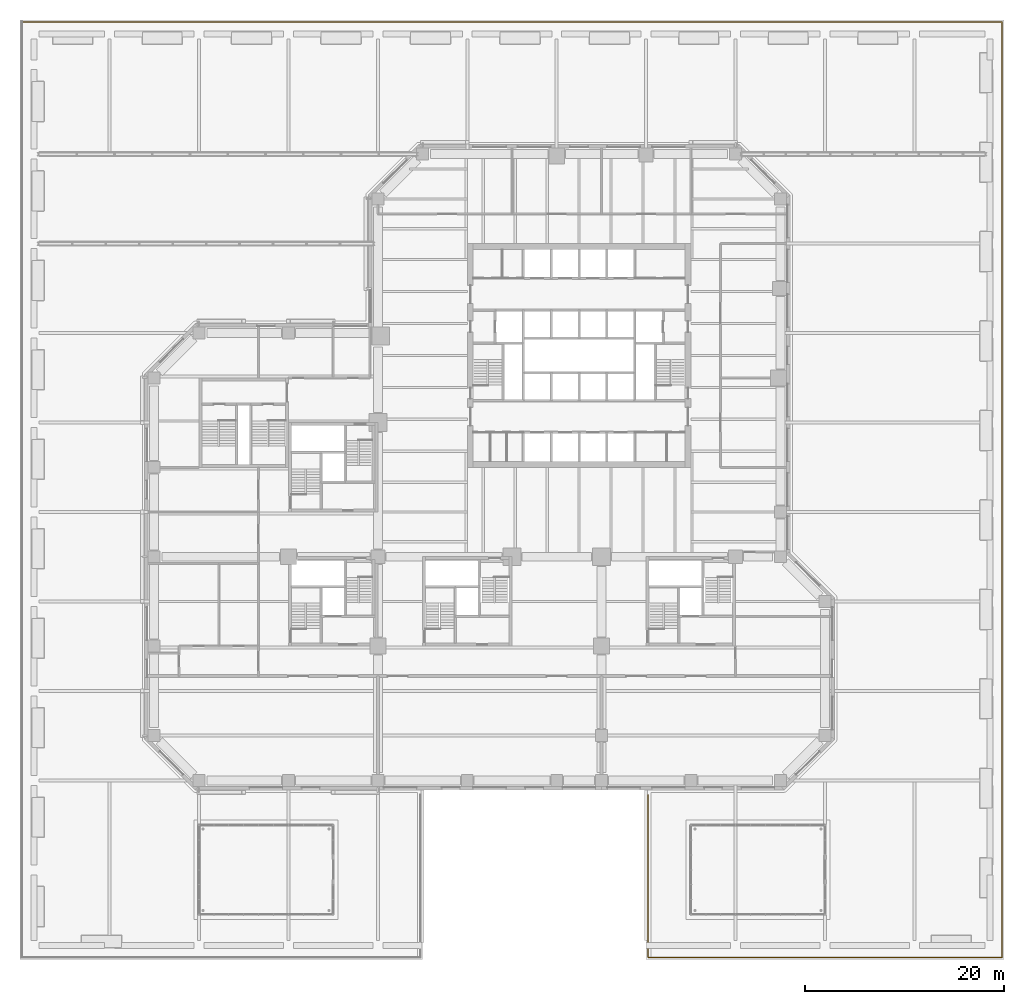
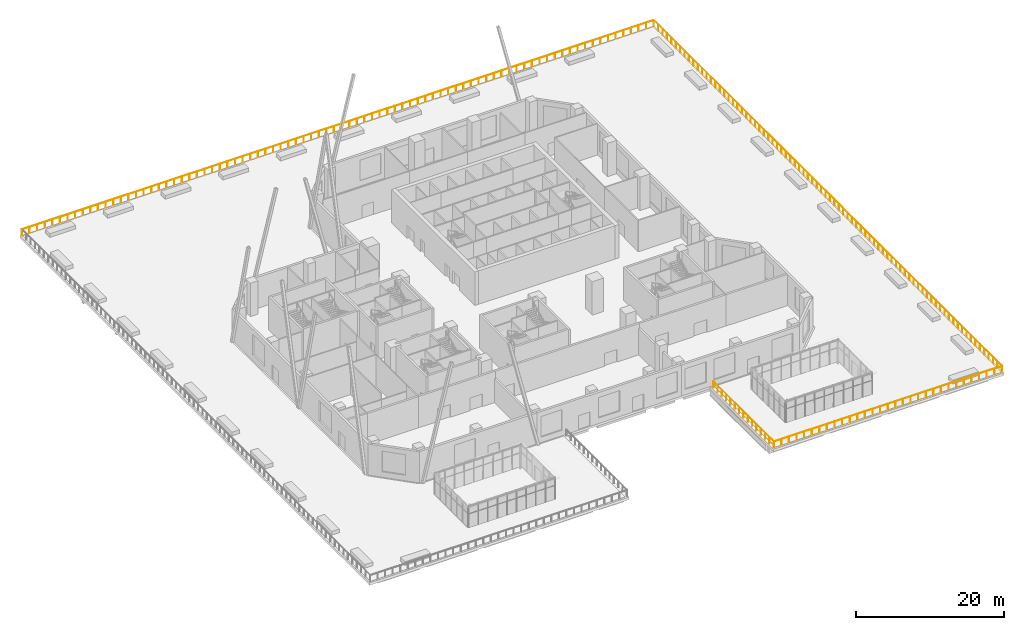
# One storey, part 32 of 33: 1 railing.
"""IFC4 building model written with IfcOpenShell, lengths in metres."""

from ifc_helpers import new_model, si_unit, direction, frame, origin, origin_2d, place, context, subcontext, project, spatial, circle, extrude, material, type_object, element, save


model = new_model("IFC4")

# Units and contexts
model_context = context("Model", 3, precision=1e-05, world=origin(), true_north=direction((0.0, 1.0)))
body_context = subcontext(model_context, "Body", "Model", "MODEL_VIEW")
ifc_project = project(units=[si_unit("LENGTHUNIT", "METRE"), si_unit("AREAUNIT", "SQUARE_METRE"), si_unit("VOLUMEUNIT", "CUBIC_METRE"), si_unit("PLANEANGLEUNIT", "RADIAN"), si_unit("MASSUNIT", "GRAM", prefix="KILO")], contexts=[model_context])

# Site, building, storey
site_placement = place(None, origin())
site = spatial("IfcSite", under=ifc_project, at=site_placement, CompositionType="ELEMENT")
building_placement = place(site_placement, origin())
building = spatial("IfcBuilding", under=site, at=building_placement, Name="Quoin Convention Tower", CompositionType="ELEMENT")
storey_placement = place(building_placement, frame((0.0, 0.0, 8.0)))
storey = spatial("IfcBuildingStorey", under=building, at=storey_placement, Name="L01", CompositionType="ELEMENT", Elevation=8.0)

# Railing
ifc_material = material(Name="Stainless steel", Category="steel")
railing_type = type_object("IfcRailingType", Name="Guard 1100", PredefinedType="GUARDRAIL", material=ifc_material)
railing_placement = place(storey_placement, frame((0.199951171875, 94.300048828125, 0.0)))
element("IfcRailing", 1, at=railing_placement, inside=storey, type_object=railing_type, Name="grd-L01-000-200_94300", PredefinedType="GUARDRAIL", context=body_context, shape_type="SweptSolid", body=[
    extrude(circle(Radius=0.02392578125, at=origin_2d()), frame((0.0, 0.0, 1.076171875), z_axis=(1.0, 0.0, 0.0), x_axis=(0.0, 1.0, 0.0)), (0.0, 0.0, 1.0), 98.60009765625),
    extrude(circle(Radius=0.02392578125, at=origin_2d()), frame((98.60009765625, 0.0, 1.076171875), z_axis=(0.0, -1.0, 0.0), x_axis=(1.0, 0.0, 0.0)), (0.0, 0.0, 1.0), 94.10009765625),
    extrude(circle(Radius=0.02392578125, at=origin_2d()), frame((98.60009765625, -94.10009765625, 1.076171875), z_axis=(-1.0, 0.0, 0.0), x_axis=(0.0, -1.0, 0.0)), (0.0, 0.0, 1.0), 35.60009765625),
    extrude(circle(Radius=0.02392578125, at=origin_2d()), frame((63.0, -94.10009765625, 1.076171875), z_axis=(0.0, 1.0, 0.0), x_axis=(-1.0, 0.0, 0.0)), (0.0, 0.0, 1.0), 16.35009765625),
    extrude(circle(Radius=0.02099609375, at=origin_2d()), origin(), (0.0, 0.0, 1.0), 1.052001953125),
    extrude(circle(Radius=0.02099609375, at=origin_2d()), frame((1.18798828125, 0.0, 0.0)), (0.0, 0.0, 1.0), 1.052001953125),
    extrude(circle(Radius=0.02099609375, at=origin_2d()), frame((2.3759765625, 0.0, 0.0)), (0.0, 0.0, 1.0), 1.052001953125),
    extrude(circle(Radius=0.02099609375, at=origin_2d()), frame((3.56396484375, 0.0, 0.0)), (0.0, 0.0, 1.0), 1.052001953125),
    extrude(circle(Radius=0.02099609375, at=origin_2d()), frame((4.751708984375, 0.0, 0.0)), (0.0, 0.0, 1.0), 1.052001953125),
    extrude(circle(Radius=0.02099609375, at=origin_2d()), frame((5.939697265625, 0.0, 0.0)), (0.0, 0.0, 1.0), 1.052001953125),
    extrude(circle(Radius=0.02099609375, at=origin_2d()), frame((7.127685546875, 0.0, 0.0)), (0.0, 0.0, 1.0), 1.052001953125),
    extrude(circle(Radius=0.02099609375, at=origin_2d()), frame((8.315673828125, 0.0, 0.0)), (0.0, 0.0, 1.0), 1.052001953125),
    extrude(circle(Radius=0.02099609375, at=origin_2d()), frame((9.503662109375, 0.0, 0.0)), (0.0, 0.0, 1.0), 1.052001953125),
    extrude(circle(Radius=0.02099609375, at=origin_2d()), frame((10.691650390625, 0.0, 0.0)), (0.0, 0.0, 1.0), 1.052001953125),
    extrude(circle(Radius=0.02099609375, at=origin_2d()), frame((11.879638671875, 0.0, 0.0)), (0.0, 0.0, 1.0), 1.052001953125),
    extrude(circle(Radius=0.02099609375, at=origin_2d()), frame((13.0673828125, 0.0, 0.0)), (0.0, 0.0, 1.0), 1.052001953125),
    extrude(circle(Radius=0.02099609375, at=origin_2d()), frame((14.25537109375, 0.0, 0.0)), (0.0, 0.0, 1.0), 1.052001953125),
    extrude(circle(Radius=0.02099609375, at=origin_2d()), frame((15.443359375, 0.0, 0.0)), (0.0, 0.0, 1.0), 1.052001953125),
    extrude(circle(Radius=0.02099609375, at=origin_2d()), frame((16.63134765625, 0.0, 0.0)), (0.0, 0.0, 1.0), 1.052001953125),
    extrude(circle(Radius=0.02099609375, at=origin_2d()), frame((17.8193359375, 0.0, 0.0)), (0.0, 0.0, 1.0), 1.052001953125),
    extrude(circle(Radius=0.02099609375, at=origin_2d()), frame((19.00732421875, 0.0, 0.0)), (0.0, 0.0, 1.0), 1.052001953125),
    extrude(circle(Radius=0.02099609375, at=origin_2d()), frame((20.1953125, 0.0, 0.0)), (0.0, 0.0, 1.0), 1.052001953125),
    extrude(circle(Radius=0.02099609375, at=origin_2d()), frame((21.383056640625, 0.0, 0.0)), (0.0, 0.0, 1.0), 1.052001953125),
    extrude(circle(Radius=0.02099609375, at=origin_2d()), frame((22.571044921875, 0.0, 0.0)), (0.0, 0.0, 1.0), 1.052001953125),
    extrude(circle(Radius=0.02099609375, at=origin_2d()), frame((23.759033203125, 0.0, 0.0)), (0.0, 0.0, 1.0), 1.052001953125),
    extrude(circle(Radius=0.02099609375, at=origin_2d()), frame((24.947021484375, 0.0, 0.0)), (0.0, 0.0, 1.0), 1.052001953125),
    extrude(circle(Radius=0.02099609375, at=origin_2d()), frame((26.135009765625, 0.0, 0.0)), (0.0, 0.0, 1.0), 1.052001953125),
    extrude(circle(Radius=0.02099609375, at=origin_2d()), frame((27.322998046875, 0.0, 0.0)), (0.0, 0.0, 1.0), 1.052001953125),
    extrude(circle(Radius=0.02099609375, at=origin_2d()), frame((28.510986328125, 0.0, 0.0)), (0.0, 0.0, 1.0), 1.052001953125),
    extrude(circle(Radius=0.02099609375, at=origin_2d()), frame((29.69873046875, 0.0, 0.0)), (0.0, 0.0, 1.0), 1.052001953125),
    extrude(circle(Radius=0.02099609375, at=origin_2d()), frame((30.88671875, 0.0, 0.0)), (0.0, 0.0, 1.0), 1.052001953125),
    extrude(circle(Radius=0.02099609375, at=origin_2d()), frame((32.07470703125, 0.0, 0.0)), (0.0, 0.0, 1.0), 1.052001953125),
    extrude(circle(Radius=0.02099609375, at=origin_2d()), frame((33.2626953125, 0.0, 0.0)), (0.0, 0.0, 1.0), 1.052001953125),
    extrude(circle(Radius=0.02099609375, at=origin_2d()), frame((34.45068359375, 0.0, 0.0)), (0.0, 0.0, 1.0), 1.052001953125),
    extrude(circle(Radius=0.02099609375, at=origin_2d()), frame((35.638671875, 0.0, 0.0)), (0.0, 0.0, 1.0), 1.052001953125),
    extrude(circle(Radius=0.02099609375, at=origin_2d()), frame((36.82666015625, 0.0, 0.0)), (0.0, 0.0, 1.0), 1.052001953125),
    extrude(circle(Radius=0.02099609375, at=origin_2d()), frame((38.014404296875, 0.0, 0.0)), (0.0, 0.0, 1.0), 1.052001953125),
    extrude(circle(Radius=0.02099609375, at=origin_2d()), frame((39.202392578125, 0.0, 0.0)), (0.0, 0.0, 1.0), 1.052001953125),
    extrude(circle(Radius=0.02099609375, at=origin_2d()), frame((40.390380859375, 0.0, 0.0)), (0.0, 0.0, 1.0), 1.052001953125),
    extrude(circle(Radius=0.02099609375, at=origin_2d()), frame((41.578369140625, 0.0, 0.0)), (0.0, 0.0, 1.0), 1.052001953125),
    extrude(circle(Radius=0.02099609375, at=origin_2d()), frame((42.766357421875, 0.0, 0.0)), (0.0, 0.0, 1.0), 1.052001953125),
    extrude(circle(Radius=0.02099609375, at=origin_2d()), frame((43.954345703125, 0.0, 0.0)), (0.0, 0.0, 1.0), 1.052001953125),
    extrude(circle(Radius=0.02099609375, at=origin_2d()), frame((45.142333984375, 0.0, 0.0)), (0.0, 0.0, 1.0), 1.052001953125),
    extrude(circle(Radius=0.02099609375, at=origin_2d()), frame((46.330078125, 0.0, 0.0)), (0.0, 0.0, 1.0), 1.052001953125),
    extrude(circle(Radius=0.02099609375, at=origin_2d()), frame((47.51806640625, 0.0, 0.0)), (0.0, 0.0, 1.0), 1.052001953125),
    extrude(circle(Radius=0.02099609375, at=origin_2d()), frame((48.7060546875, 0.0, 0.0)), (0.0, 0.0, 1.0), 1.052001953125),
    extrude(circle(Radius=0.02099609375, at=origin_2d()), frame((49.89404296875, 0.0, 0.0)), (0.0, 0.0, 1.0), 1.052001953125),
    extrude(circle(Radius=0.02099609375, at=origin_2d()), frame((51.08203125, 0.0, 0.0)), (0.0, 0.0, 1.0), 1.052001953125),
    extrude(circle(Radius=0.02099609375, at=origin_2d()), frame((52.27001953125, 0.0, 0.0)), (0.0, 0.0, 1.0), 1.052001953125),
    extrude(circle(Radius=0.02099609375, at=origin_2d()), frame((53.457763671875, 0.0, 0.0)), (0.0, 0.0, 1.0), 1.052001953125),
    extrude(circle(Radius=0.02099609375, at=origin_2d()), frame((54.645751953125, 0.0, 0.0)), (0.0, 0.0, 1.0), 1.052001953125),
    extrude(circle(Radius=0.02099609375, at=origin_2d()), frame((55.833740234375, 0.0, 0.0)), (0.0, 0.0, 1.0), 1.052001953125),
    extrude(circle(Radius=0.02099609375, at=origin_2d()), frame((57.021728515625, 0.0, 0.0)), (0.0, 0.0, 1.0), 1.052001953125),
    extrude(circle(Radius=0.02099609375, at=origin_2d()), frame((58.209716796875, 0.0, 0.0)), (0.0, 0.0, 1.0), 1.052001953125),
    extrude(circle(Radius=0.02099609375, at=origin_2d()), frame((59.397705078125, 0.0, 0.0)), (0.0, 0.0, 1.0), 1.052001953125),
    extrude(circle(Radius=0.02099609375, at=origin_2d()), frame((60.585693359375, 0.0, 0.0)), (0.0, 0.0, 1.0), 1.052001953125),
    extrude(circle(Radius=0.02099609375, at=origin_2d()), frame((61.7734375, 0.0, 0.0)), (0.0, 0.0, 1.0), 1.052001953125),
    extrude(circle(Radius=0.02099609375, at=origin_2d()), frame((62.96142578125, 0.0, 0.0)), (0.0, 0.0, 1.0), 1.052001953125),
    extrude(circle(Radius=0.02099609375, at=origin_2d()), frame((64.1494140625, 0.0, 0.0)), (0.0, 0.0, 1.0), 1.052001953125),
    extrude(circle(Radius=0.02099609375, at=origin_2d()), frame((65.33740234375, 0.0, 0.0)), (0.0, 0.0, 1.0), 1.052001953125),
    extrude(circle(Radius=0.02099609375, at=origin_2d()), frame((66.525390625, 0.0, 0.0)), (0.0, 0.0, 1.0), 1.052001953125),
    extrude(circle(Radius=0.02099609375, at=origin_2d()), frame((67.71337890625, 0.0, 0.0)), (0.0, 0.0, 1.0), 1.052001953125),
    extrude(circle(Radius=0.02099609375, at=origin_2d()), frame((68.9013671875, 0.0, 0.0)), (0.0, 0.0, 1.0), 1.052001953125),
    extrude(circle(Radius=0.02099609375, at=origin_2d()), frame((70.089111328125, 0.0, 0.0)), (0.0, 0.0, 1.0), 1.052001953125),
    extrude(circle(Radius=0.02099609375, at=origin_2d()), frame((71.277099609375, 0.0, 0.0)), (0.0, 0.0, 1.0), 1.052001953125),
    extrude(circle(Radius=0.02099609375, at=origin_2d()), frame((72.465087890625, 0.0, 0.0)), (0.0, 0.0, 1.0), 1.052001953125),
    extrude(circle(Radius=0.02099609375, at=origin_2d()), frame((73.653076171875, 0.0, 0.0)), (0.0, 0.0, 1.0), 1.052001953125),
    extrude(circle(Radius=0.02099609375, at=origin_2d()), frame((74.841064453125, 0.0, 0.0)), (0.0, 0.0, 1.0), 1.052001953125),
    extrude(circle(Radius=0.02099609375, at=origin_2d()), frame((76.029052734375, 0.0, 0.0)), (0.0, 0.0, 1.0), 1.052001953125),
    extrude(circle(Radius=0.02099609375, at=origin_2d()), frame((77.217041015625, 0.0, 0.0)), (0.0, 0.0, 1.0), 1.052001953125),
    extrude(circle(Radius=0.02099609375, at=origin_2d()), frame((78.40478515625, 0.0, 0.0)), (0.0, 0.0, 1.0), 1.052001953125),
    extrude(circle(Radius=0.02099609375, at=origin_2d()), frame((79.5927734375, 0.0, 0.0)), (0.0, 0.0, 1.0), 1.052001953125),
    extrude(circle(Radius=0.02099609375, at=origin_2d()), frame((80.78076171875, 0.0, 0.0)), (0.0, 0.0, 1.0), 1.052001953125),
    extrude(circle(Radius=0.02099609375, at=origin_2d()), frame((81.96875, 0.0, 0.0)), (0.0, 0.0, 1.0), 1.052001953125),
    extrude(circle(Radius=0.02099609375, at=origin_2d()), frame((83.15673828125, 0.0, 0.0)), (0.0, 0.0, 1.0), 1.052001953125),
    extrude(circle(Radius=0.02099609375, at=origin_2d()), frame((84.3447265625, 0.0, 0.0)), (0.0, 0.0, 1.0), 1.052001953125),
    extrude(circle(Radius=0.02099609375, at=origin_2d()), frame((85.53271484375, 0.0, 0.0)), (0.0, 0.0, 1.0), 1.052001953125),
    extrude(circle(Radius=0.02099609375, at=origin_2d()), frame((86.720458984375, 0.0, 0.0)), (0.0, 0.0, 1.0), 1.052001953125),
    extrude(circle(Radius=0.02099609375, at=origin_2d()), frame((87.908447265625, 0.0, 0.0)), (0.0, 0.0, 1.0), 1.052001953125),
    extrude(circle(Radius=0.02099609375, at=origin_2d()), frame((89.096435546875, 0.0, 0.0)), (0.0, 0.0, 1.0), 1.052001953125),
    extrude(circle(Radius=0.02099609375, at=origin_2d()), frame((90.284423828125, 0.0, 0.0)), (0.0, 0.0, 1.0), 1.052001953125),
    extrude(circle(Radius=0.02099609375, at=origin_2d()), frame((91.472412109375, 0.0, 0.0)), (0.0, 0.0, 1.0), 1.052001953125),
    extrude(circle(Radius=0.02099609375, at=origin_2d()), frame((92.660400390625, 0.0, 0.0)), (0.0, 0.0, 1.0), 1.052001953125),
    extrude(circle(Radius=0.02099609375, at=origin_2d()), frame((93.848388671875, 0.0, 0.0)), (0.0, 0.0, 1.0), 1.052001953125),
    extrude(circle(Radius=0.02099609375, at=origin_2d()), frame((95.0361328125, 0.0, 0.0)), (0.0, 0.0, 1.0), 1.052001953125),
    extrude(circle(Radius=0.02099609375, at=origin_2d()), frame((96.22412109375, 0.0, 0.0)), (0.0, 0.0, 1.0), 1.052001953125),
    extrude(circle(Radius=0.02099609375, at=origin_2d()), frame((97.412109375, 0.0, 0.0)), (0.0, 0.0, 1.0), 1.052001953125),
    extrude(circle(Radius=0.02099609375, at=origin_2d()), frame((98.60009765625, 0.0, 0.0)), (0.0, 0.0, 1.0), 1.052001953125),
    extrude(circle(Radius=0.02099609375, at=origin_2d()), frame((98.60009765625, -1.191162109375, 0.0)), (0.0, 0.0, 1.0), 1.052001953125),
    extrude(circle(Radius=0.02099609375, at=origin_2d()), frame((98.60009765625, -2.38232421875, 0.0)), (0.0, 0.0, 1.0), 1.052001953125),
    extrude(circle(Radius=0.02099609375, at=origin_2d()), frame((98.60009765625, -3.573486328125, 0.0)), (0.0, 0.0, 1.0), 1.052001953125),
    extrude(circle(Radius=0.02099609375, at=origin_2d()), frame((98.60009765625, -4.7646484375, 0.0)), (0.0, 0.0, 1.0), 1.052001953125),
    extrude(circle(Radius=0.02099609375, at=origin_2d()), frame((98.60009765625, -5.955810546875, 0.0)), (0.0, 0.0, 1.0), 1.052001953125),
    extrude(circle(Radius=0.02099609375, at=origin_2d()), frame((98.60009765625, -7.146728515625, 0.0)), (0.0, 0.0, 1.0), 1.052001953125),
    extrude(circle(Radius=0.02099609375, at=origin_2d()), frame((98.60009765625, -8.337890625, 0.0)), (0.0, 0.0, 1.0), 1.052001953125),
    extrude(circle(Radius=0.02099609375, at=origin_2d()), frame((98.60009765625, -9.529052734375, 0.0)), (0.0, 0.0, 1.0), 1.052001953125),
    extrude(circle(Radius=0.02099609375, at=origin_2d()), frame((98.60009765625, -10.72021484375, 0.0)), (0.0, 0.0, 1.0), 1.052001953125),
    extrude(circle(Radius=0.02099609375, at=origin_2d()), frame((98.60009765625, -11.911376953125, 0.0)), (0.0, 0.0, 1.0), 1.052001953125),
    extrude(circle(Radius=0.02099609375, at=origin_2d()), frame((98.60009765625, -13.1025390625, 0.0)), (0.0, 0.0, 1.0), 1.052001953125),
    extrude(circle(Radius=0.02099609375, at=origin_2d()), frame((98.60009765625, -14.293701171875, 0.0)), (0.0, 0.0, 1.0), 1.052001953125),
    extrude(circle(Radius=0.02099609375, at=origin_2d()), frame((98.60009765625, -15.48486328125, 0.0)), (0.0, 0.0, 1.0), 1.052001953125),
    extrude(circle(Radius=0.02099609375, at=origin_2d()), frame((98.60009765625, -16.676025390625, 0.0)), (0.0, 0.0, 1.0), 1.052001953125),
    extrude(circle(Radius=0.02099609375, at=origin_2d()), frame((98.60009765625, -17.8671875, 0.0)), (0.0, 0.0, 1.0), 1.052001953125),
    extrude(circle(Radius=0.02099609375, at=origin_2d()), frame((98.60009765625, -19.058349609375, 0.0)), (0.0, 0.0, 1.0), 1.052001953125),
    extrude(circle(Radius=0.02099609375, at=origin_2d()), frame((98.60009765625, -20.249267578125, 0.0)), (0.0, 0.0, 1.0), 1.052001953125),
    extrude(circle(Radius=0.02099609375, at=origin_2d()), frame((98.60009765625, -21.4404296875, 0.0)), (0.0, 0.0, 1.0), 1.052001953125),
    extrude(circle(Radius=0.02099609375, at=origin_2d()), frame((98.60009765625, -22.631591796875, 0.0)), (0.0, 0.0, 1.0), 1.052001953125),
    extrude(circle(Radius=0.02099609375, at=origin_2d()), frame((98.60009765625, -23.82275390625, 0.0)), (0.0, 0.0, 1.0), 1.052001953125),
    extrude(circle(Radius=0.02099609375, at=origin_2d()), frame((98.60009765625, -25.013916015625, 0.0)), (0.0, 0.0, 1.0), 1.052001953125),
    extrude(circle(Radius=0.02099609375, at=origin_2d()), frame((98.60009765625, -26.205078125, 0.0)), (0.0, 0.0, 1.0), 1.052001953125),
    extrude(circle(Radius=0.02099609375, at=origin_2d()), frame((98.60009765625, -27.396240234375, 0.0)), (0.0, 0.0, 1.0), 1.052001953125),
    extrude(circle(Radius=0.02099609375, at=origin_2d()), frame((98.60009765625, -28.58740234375, 0.0)), (0.0, 0.0, 1.0), 1.052001953125),
    extrude(circle(Radius=0.02099609375, at=origin_2d()), frame((98.60009765625, -29.778564453125, 0.0)), (0.0, 0.0, 1.0), 1.052001953125),
    extrude(circle(Radius=0.02099609375, at=origin_2d()), frame((98.60009765625, -30.9697265625, 0.0)), (0.0, 0.0, 1.0), 1.052001953125),
    extrude(circle(Radius=0.02099609375, at=origin_2d()), frame((98.60009765625, -32.160888671875, 0.0)), (0.0, 0.0, 1.0), 1.052001953125),
    extrude(circle(Radius=0.02099609375, at=origin_2d()), frame((98.60009765625, -33.35205078125, 0.0)), (0.0, 0.0, 1.0), 1.052001953125),
    extrude(circle(Radius=0.02099609375, at=origin_2d()), frame((98.60009765625, -34.54296875, 0.0)), (0.0, 0.0, 1.0), 1.052001953125),
    extrude(circle(Radius=0.02099609375, at=origin_2d()), frame((98.60009765625, -35.734130859375, 0.0)), (0.0, 0.0, 1.0), 1.052001953125),
    extrude(circle(Radius=0.02099609375, at=origin_2d()), frame((98.60009765625, -36.92529296875, 0.0)), (0.0, 0.0, 1.0), 1.052001953125),
    extrude(circle(Radius=0.02099609375, at=origin_2d()), frame((98.60009765625, -38.116455078125, 0.0)), (0.0, 0.0, 1.0), 1.052001953125),
    extrude(circle(Radius=0.02099609375, at=origin_2d()), frame((98.60009765625, -39.3076171875, 0.0)), (0.0, 0.0, 1.0), 1.052001953125),
    extrude(circle(Radius=0.02099609375, at=origin_2d()), frame((98.60009765625, -40.498779296875, 0.0)), (0.0, 0.0, 1.0), 1.052001953125),
    extrude(circle(Radius=0.02099609375, at=origin_2d()), frame((98.60009765625, -41.68994140625, 0.0)), (0.0, 0.0, 1.0), 1.052001953125),
    extrude(circle(Radius=0.02099609375, at=origin_2d()), frame((98.60009765625, -42.881103515625, 0.0)), (0.0, 0.0, 1.0), 1.052001953125),
    extrude(circle(Radius=0.02099609375, at=origin_2d()), frame((98.60009765625, -44.072265625, 0.0)), (0.0, 0.0, 1.0), 1.052001953125),
    extrude(circle(Radius=0.02099609375, at=origin_2d()), frame((98.60009765625, -45.263427734375, 0.0)), (0.0, 0.0, 1.0), 1.052001953125),
    extrude(circle(Radius=0.02099609375, at=origin_2d()), frame((98.60009765625, -46.45458984375, 0.0)), (0.0, 0.0, 1.0), 1.052001953125),
    extrude(circle(Radius=0.02099609375, at=origin_2d()), frame((98.60009765625, -47.6455078125, 0.0)), (0.0, 0.0, 1.0), 1.052001953125),
    extrude(circle(Radius=0.02099609375, at=origin_2d()), frame((98.60009765625, -48.836669921875, 0.0)), (0.0, 0.0, 1.0), 1.052001953125),
    extrude(circle(Radius=0.02099609375, at=origin_2d()), frame((98.60009765625, -50.02783203125, 0.0)), (0.0, 0.0, 1.0), 1.052001953125),
    extrude(circle(Radius=0.02099609375, at=origin_2d()), frame((98.60009765625, -51.218994140625, 0.0)), (0.0, 0.0, 1.0), 1.052001953125),
    extrude(circle(Radius=0.02099609375, at=origin_2d()), frame((98.60009765625, -52.41015625, 0.0)), (0.0, 0.0, 1.0), 1.052001953125),
    extrude(circle(Radius=0.02099609375, at=origin_2d()), frame((98.60009765625, -53.601318359375, 0.0)), (0.0, 0.0, 1.0), 1.052001953125),
    extrude(circle(Radius=0.02099609375, at=origin_2d()), frame((98.60009765625, -54.79248046875, 0.0)), (0.0, 0.0, 1.0), 1.052001953125),
    extrude(circle(Radius=0.02099609375, at=origin_2d()), frame((98.60009765625, -55.983642578125, 0.0)), (0.0, 0.0, 1.0), 1.052001953125),
    extrude(circle(Radius=0.02099609375, at=origin_2d()), frame((98.60009765625, -57.1748046875, 0.0)), (0.0, 0.0, 1.0), 1.052001953125),
    extrude(circle(Radius=0.02099609375, at=origin_2d()), frame((98.60009765625, -58.365966796875, 0.0)), (0.0, 0.0, 1.0), 1.052001953125),
    extrude(circle(Radius=0.02099609375, at=origin_2d()), frame((98.60009765625, -59.55712890625, 0.0)), (0.0, 0.0, 1.0), 1.052001953125),
    extrude(circle(Radius=0.02099609375, at=origin_2d()), frame((98.60009765625, -60.748046875, 0.0)), (0.0, 0.0, 1.0), 1.052001953125),
    extrude(circle(Radius=0.02099609375, at=origin_2d()), frame((98.60009765625, -61.939208984375, 0.0)), (0.0, 0.0, 1.0), 1.052001953125),
    extrude(circle(Radius=0.02099609375, at=origin_2d()), frame((98.60009765625, -63.13037109375, 0.0)), (0.0, 0.0, 1.0), 1.052001953125),
    extrude(circle(Radius=0.02099609375, at=origin_2d()), frame((98.60009765625, -64.321533203125, 0.0)), (0.0, 0.0, 1.0), 1.052001953125),
    extrude(circle(Radius=0.02099609375, at=origin_2d()), frame((98.60009765625, -65.5126953125, 0.0)), (0.0, 0.0, 1.0), 1.052001953125),
    extrude(circle(Radius=0.02099609375, at=origin_2d()), frame((98.60009765625, -66.703857421875, 0.0)), (0.0, 0.0, 1.0), 1.052001953125),
    extrude(circle(Radius=0.02099609375, at=origin_2d()), frame((98.60009765625, -67.89501953125, 0.0)), (0.0, 0.0, 1.0), 1.052001953125),
    extrude(circle(Radius=0.02099609375, at=origin_2d()), frame((98.60009765625, -69.086181640625, 0.0)), (0.0, 0.0, 1.0), 1.052001953125),
    extrude(circle(Radius=0.02099609375, at=origin_2d()), frame((98.60009765625, -70.27734375, 0.0)), (0.0, 0.0, 1.0), 1.052001953125),
    extrude(circle(Radius=0.02099609375, at=origin_2d()), frame((98.60009765625, -71.468505859375, 0.0)), (0.0, 0.0, 1.0), 1.052001953125),
    extrude(circle(Radius=0.02099609375, at=origin_2d()), frame((98.60009765625, -72.65966796875, 0.0)), (0.0, 0.0, 1.0), 1.052001953125),
    extrude(circle(Radius=0.02099609375, at=origin_2d()), frame((98.60009765625, -73.850830078125, 0.0)), (0.0, 0.0, 1.0), 1.052001953125),
    extrude(circle(Radius=0.02099609375, at=origin_2d()), frame((98.60009765625, -75.041748046875, 0.0)), (0.0, 0.0, 1.0), 1.052001953125),
    extrude(circle(Radius=0.02099609375, at=origin_2d()), frame((98.60009765625, -76.23291015625, 0.0)), (0.0, 0.0, 1.0), 1.052001953125),
    extrude(circle(Radius=0.02099609375, at=origin_2d()), frame((98.60009765625, -77.424072265625, 0.0)), (0.0, 0.0, 1.0), 1.052001953125),
    extrude(circle(Radius=0.02099609375, at=origin_2d()), frame((98.60009765625, -78.615234375, 0.0)), (0.0, 0.0, 1.0), 1.052001953125),
    extrude(circle(Radius=0.02099609375, at=origin_2d()), frame((98.60009765625, -79.806396484375, 0.0)), (0.0, 0.0, 1.0), 1.052001953125),
    extrude(circle(Radius=0.02099609375, at=origin_2d()), frame((98.60009765625, -80.99755859375, 0.0)), (0.0, 0.0, 1.0), 1.052001953125),
    extrude(circle(Radius=0.02099609375, at=origin_2d()), frame((98.60009765625, -82.188720703125, 0.0)), (0.0, 0.0, 1.0), 1.052001953125),
    extrude(circle(Radius=0.02099609375, at=origin_2d()), frame((98.60009765625, -83.3798828125, 0.0)), (0.0, 0.0, 1.0), 1.052001953125),
    extrude(circle(Radius=0.02099609375, at=origin_2d()), frame((98.60009765625, -84.571044921875, 0.0)), (0.0, 0.0, 1.0), 1.052001953125),
    extrude(circle(Radius=0.02099609375, at=origin_2d()), frame((98.60009765625, -85.76220703125, 0.0)), (0.0, 0.0, 1.0), 1.052001953125),
    extrude(circle(Radius=0.02099609375, at=origin_2d()), frame((98.60009765625, -86.953369140625, 0.0)), (0.0, 0.0, 1.0), 1.052001953125),
    extrude(circle(Radius=0.02099609375, at=origin_2d()), frame((98.60009765625, -88.144287109375, 0.0)), (0.0, 0.0, 1.0), 1.052001953125),
    extrude(circle(Radius=0.02099609375, at=origin_2d()), frame((98.60009765625, -89.33544921875, 0.0)), (0.0, 0.0, 1.0), 1.052001953125),
    extrude(circle(Radius=0.02099609375, at=origin_2d()), frame((98.60009765625, -90.526611328125, 0.0)), (0.0, 0.0, 1.0), 1.052001953125),
    extrude(circle(Radius=0.02099609375, at=origin_2d()), frame((98.60009765625, -91.7177734375, 0.0)), (0.0, 0.0, 1.0), 1.052001953125),
    extrude(circle(Radius=0.02099609375, at=origin_2d()), frame((98.60009765625, -92.908935546875, 0.0)), (0.0, 0.0, 1.0), 1.052001953125),
    extrude(circle(Radius=0.02099609375, at=origin_2d()), frame((98.60009765625, -94.10009765625, 0.0)), (0.0, 0.0, 1.0), 1.052001953125),
    extrude(circle(Radius=0.02099609375, at=origin_2d()), frame((97.413330078125, -94.10009765625, 0.0)), (0.0, 0.0, 1.0), 1.052001953125),
    extrude(circle(Radius=0.02099609375, at=origin_2d()), frame((96.226806640625, -94.10009765625, 0.0)), (0.0, 0.0, 1.0), 1.052001953125),
    extrude(circle(Radius=0.02099609375, at=origin_2d()), frame((95.0400390625, -94.10009765625, 0.0)), (0.0, 0.0, 1.0), 1.052001953125),
    extrude(circle(Radius=0.02099609375, at=origin_2d()), frame((93.853515625, -94.10009765625, 0.0)), (0.0, 0.0, 1.0), 1.052001953125),
    extrude(circle(Radius=0.02099609375, at=origin_2d()), frame((92.666748046875, -94.10009765625, 0.0)), (0.0, 0.0, 1.0), 1.052001953125),
    extrude(circle(Radius=0.02099609375, at=origin_2d()), frame((91.47998046875, -94.10009765625, 0.0)), (0.0, 0.0, 1.0), 1.052001953125),
    extrude(circle(Radius=0.02099609375, at=origin_2d()), frame((90.29345703125, -94.10009765625, 0.0)), (0.0, 0.0, 1.0), 1.052001953125),
    extrude(circle(Radius=0.02099609375, at=origin_2d()), frame((89.106689453125, -94.10009765625, 0.0)), (0.0, 0.0, 1.0), 1.052001953125),
    extrude(circle(Radius=0.02099609375, at=origin_2d()), frame((87.920166015625, -94.10009765625, 0.0)), (0.0, 0.0, 1.0), 1.052001953125),
    extrude(circle(Radius=0.02099609375, at=origin_2d()), frame((86.7333984375, -94.10009765625, 0.0)), (0.0, 0.0, 1.0), 1.052001953125),
    extrude(circle(Radius=0.02099609375, at=origin_2d()), frame((85.546630859375, -94.10009765625, 0.0)), (0.0, 0.0, 1.0), 1.052001953125),
    extrude(circle(Radius=0.02099609375, at=origin_2d()), frame((84.360107421875, -94.10009765625, 0.0)), (0.0, 0.0, 1.0), 1.052001953125),
    extrude(circle(Radius=0.02099609375, at=origin_2d()), frame((83.17333984375, -94.10009765625, 0.0)), (0.0, 0.0, 1.0), 1.052001953125),
    extrude(circle(Radius=0.02099609375, at=origin_2d()), frame((81.98681640625, -94.10009765625, 0.0)), (0.0, 0.0, 1.0), 1.052001953125),
    extrude(circle(Radius=0.02099609375, at=origin_2d()), frame((80.800048828125, -94.10009765625, 0.0)), (0.0, 0.0, 1.0), 1.052001953125),
    extrude(circle(Radius=0.02099609375, at=origin_2d()), frame((79.61328125, -94.10009765625, 0.0)), (0.0, 0.0, 1.0), 1.052001953125),
    extrude(circle(Radius=0.02099609375, at=origin_2d()), frame((78.4267578125, -94.10009765625, 0.0)), (0.0, 0.0, 1.0), 1.052001953125),
    extrude(circle(Radius=0.02099609375, at=origin_2d()), frame((77.239990234375, -94.10009765625, 0.0)), (0.0, 0.0, 1.0), 1.052001953125),
    extrude(circle(Radius=0.02099609375, at=origin_2d()), frame((76.053466796875, -94.10009765625, 0.0)), (0.0, 0.0, 1.0), 1.052001953125),
    extrude(circle(Radius=0.02099609375, at=origin_2d()), frame((74.86669921875, -94.10009765625, 0.0)), (0.0, 0.0, 1.0), 1.052001953125),
    extrude(circle(Radius=0.02099609375, at=origin_2d()), frame((73.679931640625, -94.10009765625, 0.0)), (0.0, 0.0, 1.0), 1.052001953125),
    extrude(circle(Radius=0.02099609375, at=origin_2d()), frame((72.493408203125, -94.10009765625, 0.0)), (0.0, 0.0, 1.0), 1.052001953125),
    extrude(circle(Radius=0.02099609375, at=origin_2d()), frame((71.306640625, -94.10009765625, 0.0)), (0.0, 0.0, 1.0), 1.052001953125),
    extrude(circle(Radius=0.02099609375, at=origin_2d()), frame((70.1201171875, -94.10009765625, 0.0)), (0.0, 0.0, 1.0), 1.052001953125),
    extrude(circle(Radius=0.02099609375, at=origin_2d()), frame((68.933349609375, -94.10009765625, 0.0)), (0.0, 0.0, 1.0), 1.052001953125),
    extrude(circle(Radius=0.02099609375, at=origin_2d()), frame((67.74658203125, -94.10009765625, 0.0)), (0.0, 0.0, 1.0), 1.052001953125),
    extrude(circle(Radius=0.02099609375, at=origin_2d()), frame((66.56005859375, -94.10009765625, 0.0)), (0.0, 0.0, 1.0), 1.052001953125),
    extrude(circle(Radius=0.02099609375, at=origin_2d()), frame((65.373291015625, -94.10009765625, 0.0)), (0.0, 0.0, 1.0), 1.052001953125),
    extrude(circle(Radius=0.02099609375, at=origin_2d()), frame((64.186767578125, -94.10009765625, 0.0)), (0.0, 0.0, 1.0), 1.052001953125),
    extrude(circle(Radius=0.02099609375, at=origin_2d()), frame((63.0, -94.10009765625, 0.0)), (0.0, 0.0, 1.0), 1.052001953125),
    extrude(circle(Radius=0.02099609375, at=origin_2d()), frame((63.0, -92.93212890625, 0.0)), (0.0, 0.0, 1.0), 1.052001953125),
    extrude(circle(Radius=0.02099609375, at=origin_2d()), frame((63.0, -91.764404296875, 0.0)), (0.0, 0.0, 1.0), 1.052001953125),
    extrude(circle(Radius=0.02099609375, at=origin_2d()), frame((63.0, -90.596435546875, 0.0)), (0.0, 0.0, 1.0), 1.052001953125),
    extrude(circle(Radius=0.02099609375, at=origin_2d()), frame((63.0, -89.4287109375, 0.0)), (0.0, 0.0, 1.0), 1.052001953125),
    extrude(circle(Radius=0.02099609375, at=origin_2d()), frame((63.0, -88.2607421875, 0.0)), (0.0, 0.0, 1.0), 1.052001953125),
    extrude(circle(Radius=0.02099609375, at=origin_2d()), frame((63.0, -87.093017578125, 0.0)), (0.0, 0.0, 1.0), 1.052001953125),
    extrude(circle(Radius=0.02099609375, at=origin_2d()), frame((63.0, -85.925048828125, 0.0)), (0.0, 0.0, 1.0), 1.052001953125),
    extrude(circle(Radius=0.02099609375, at=origin_2d()), frame((63.0, -84.757080078125, 0.0)), (0.0, 0.0, 1.0), 1.052001953125),
    extrude(circle(Radius=0.02099609375, at=origin_2d()), frame((63.0, -83.58935546875, 0.0)), (0.0, 0.0, 1.0), 1.052001953125),
    extrude(circle(Radius=0.02099609375, at=origin_2d()), frame((63.0, -82.42138671875, 0.0)), (0.0, 0.0, 1.0), 1.052001953125),
    extrude(circle(Radius=0.02099609375, at=origin_2d()), frame((63.0, -81.253662109375, 0.0)), (0.0, 0.0, 1.0), 1.052001953125),
    extrude(circle(Radius=0.02099609375, at=origin_2d()), frame((63.0, -80.085693359375, 0.0)), (0.0, 0.0, 1.0), 1.052001953125),
    extrude(circle(Radius=0.02099609375, at=origin_2d()), frame((63.0, -78.91796875, 0.0)), (0.0, 0.0, 1.0), 1.052001953125),
    extrude(circle(Radius=0.02099609375, at=origin_2d()), frame((63.0, -77.75, 0.0)), (0.0, 0.0, 1.0), 1.052001953125),
])

save(model, "model.ifc")
